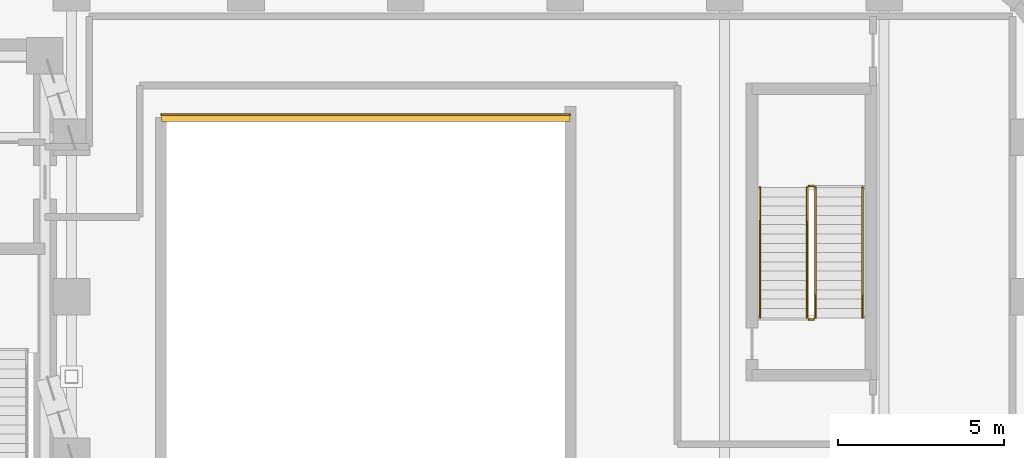
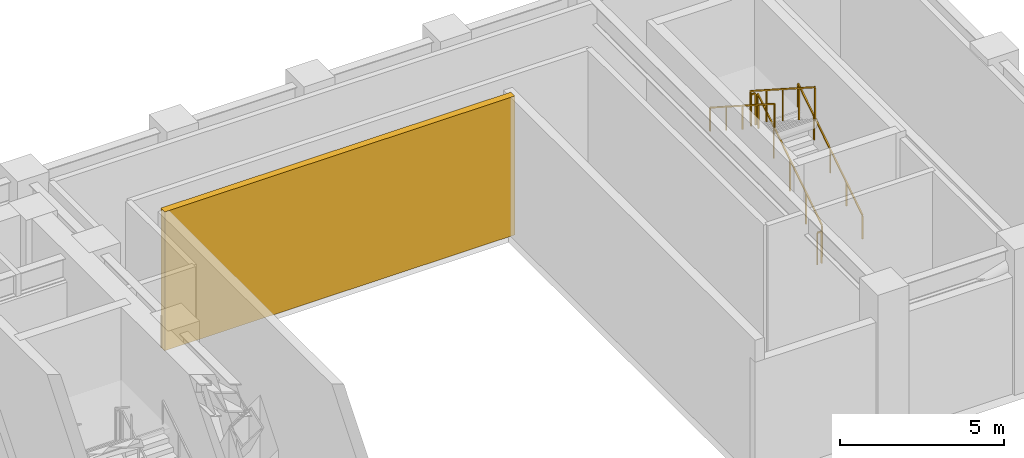
# One storey, part 9 of 9: 7 railings, 1 shading device.
"""IFC4 building model written with IfcOpenShell, lengths in metres."""

from ifc_helpers import new_model, si_unit, direction, frame, origin, origin_2d, place, context, subcontext, project, spatial, rectangle, extrude, material, type_object, element, save


model = new_model("IFC4")

# Units and contexts
model_context = context("Model", 3, precision=1e-05, world=origin(), true_north=direction((0.0, 1.0)))
body_context = subcontext(model_context, "Body", "Model", "MODEL_VIEW")
ifc_project = project(units=[si_unit("LENGTHUNIT", "METRE"), si_unit("AREAUNIT", "SQUARE_METRE"), si_unit("VOLUMEUNIT", "CUBIC_METRE"), si_unit("PLANEANGLEUNIT", "RADIAN"), si_unit("MASSUNIT", "GRAM", prefix="KILO")], contexts=[model_context])

# Site, building, storey
site_placement = place(None, origin())
site = spatial("IfcSite", under=ifc_project, at=site_placement, CompositionType="ELEMENT")
building_placement = place(site_placement, origin())
building = spatial("IfcBuilding", under=site, at=building_placement, Name="Orvandelia Arch Residences", CompositionType="ELEMENT")
storey_placement = place(building_placement, frame((0.0, 0.0, 101.800048828125)))
storey = spatial("IfcBuildingStorey", under=building, at=storey_placement, Name="L26", CompositionType="ELEMENT", Elevation=101.800048828125)

# Railings
ifc_material_1 = material(Name="Marine-Grade Stainless Steel 316", Category="steel")
railing_type_1 = type_object("IfcRailingType", Name="GRD-TERR-1250", PredefinedType="GUARDRAIL", material=ifc_material_1)
railing_1_placement = place(storey_placement, frame((26.25, 43.8798828125, 0.0)))
element("IfcRailing", 1, at=railing_1_placement, inside=storey, type_object=railing_type_1, Name="Wind Portal Maintenance Safety Guard L26-1", PredefinedType="GUARDRAIL", context=body_context, shape_type="SweptSolid", body=[
    extrude(rectangle(XDim=0.048095703125, YDim=0.048095703125, at=origin_2d()), frame((0.0, 0.0, 1.22607421875), z_axis=(1.0, 0.0, 0.0), x_axis=(0.0, 1.0, 0.0)), (0.0, 0.0, 1.0), 12.300048828125),
    extrude(rectangle(XDim=0.0419921875, YDim=0.0419921875, at=origin_2d()), origin(), (0.0, 0.0, 1.0), 1.201904296875),
    extrude(rectangle(XDim=0.0419921875, YDim=0.0419921875, at=origin_2d()), frame((1.757080078125, 0.0, 0.0)), (0.0, 0.0, 1.0), 1.201904296875),
    extrude(rectangle(XDim=0.0419921875, YDim=0.0419921875, at=origin_2d()), frame((3.514404296875, 0.0, 0.0)), (0.0, 0.0, 1.0), 1.201904296875),
    extrude(rectangle(XDim=0.0419921875, YDim=0.0419921875, at=origin_2d()), frame((5.271484375, 0.0, 0.0)), (0.0, 0.0, 1.0), 1.201904296875),
    extrude(rectangle(XDim=0.0419921875, YDim=0.0419921875, at=origin_2d()), frame((7.028564453125, 0.0, 0.0)), (0.0, 0.0, 1.0), 1.201904296875),
    extrude(rectangle(XDim=0.0419921875, YDim=0.0419921875, at=origin_2d()), frame((8.78564453125, 0.0, 0.0)), (0.0, 0.0, 1.0), 1.201904296875),
    extrude(rectangle(XDim=0.0419921875, YDim=0.0419921875, at=origin_2d()), frame((10.54296875, 0.0, 0.0)), (0.0, 0.0, 1.0), 1.201904296875),
    extrude(rectangle(XDim=0.0419921875, YDim=0.0419921875, at=origin_2d()), frame((12.300048828125, 0.0, 0.0)), (0.0, 0.0, 1.0), 1.201904296875),
])
ifc_material_2 = material(Name="Brushed Stainless Steel 304", Category="steel")
railing_type_2 = type_object("IfcRailingType", Name="RL-STAIR-GD1120", PredefinedType="GUARDRAIL", material=ifc_material_2)
railing_2_placement = place(storey_placement, frame((45.929931640625, 37.77001953125, 0.179931640625)))
element("IfcRailing", 2, at=railing_2_placement, inside=storey, type_object=railing_type_2, Name="L26 ST-3 stair guard 1", PredefinedType="GUARDRAIL", context=body_context, shape_type="SweptSolid", body=[
    extrude(rectangle(XDim=0.048095703125, YDim=0.048095703125, at=origin_2d()), frame((0.0, 0.0, 1.17578125), z_axis=(0.0, 0.841171666519, 0.540768182723), x_axis=(-1.0, 0.0, 0.0)), (0.0, 0.0, 1.0), 4.66015625),
    extrude(rectangle(XDim=0.0419921875, YDim=0.0419921875, at=origin_2d()), origin(), (0.0, 0.0, 1.0), 1.15185546875),
    extrude(rectangle(XDim=0.0419921875, YDim=0.0419921875, at=origin_2d()), frame((0.0, 0.97998046875, 0.6298828125)), (0.0, 0.0, 1.0), 1.15185546875),
    extrude(rectangle(XDim=0.0419921875, YDim=0.0419921875, at=origin_2d()), frame((0.0, 1.9599609375, 1.260009765625)), (0.0, 0.0, 1.0), 1.15185546875),
    extrude(rectangle(XDim=0.0419921875, YDim=0.0419921875, at=origin_2d()), frame((0.0, 2.93994140625, 1.89013671875)), (0.0, 0.0, 1.0), 1.15185546875),
    extrude(rectangle(XDim=0.0419921875, YDim=0.0419921875, at=origin_2d()), frame((0.0, 3.919921875, 2.52001953125)), (0.0, 0.0, 1.0), 1.15185546875),
])
railing_3_placement = place(storey_placement, frame((45.8798828125, 41.739990234375, 2.699951171875)))
element("IfcRailing", 3, at=railing_3_placement, inside=storey, type_object=railing_type_2, Name="L26 ST-3 stair guard 2", PredefinedType="GUARDRAIL", context=body_context, shape_type="SweptSolid", body=[
    extrude(rectangle(XDim=0.048095703125, YDim=0.048095703125, at=origin_2d()), frame((0.0, 0.0, 1.17578125), z_axis=(-1.0, 0.0, 0.0), x_axis=(0.0, -1.0, 0.0)), (0.0, 0.0, 1.0), 0.14990234375),
    extrude(rectangle(XDim=0.0419921875, YDim=0.0419921875, at=origin_2d()), origin(), (0.0, 0.0, 1.0), 1.15185546875),
    extrude(rectangle(XDim=0.0419921875, YDim=0.0419921875, at=origin_2d()), frame((-0.14990234375, 0.0, 0.0)), (0.0, 0.0, 1.0), 1.15185546875),
])
railing_4_placement = place(storey_placement, frame((45.679931640625, 41.68994140625, 2.8798828125)))
element("IfcRailing", 4, at=railing_4_placement, inside=storey, type_object=railing_type_2, Name="L26 ST-3 stair guard 3", PredefinedType="GUARDRAIL", context=body_context, shape_type="SweptSolid", body=[
    extrude(rectangle(XDim=0.048095703125, YDim=0.048095703125, at=origin_2d()), frame((0.0, 0.0, 1.17578125), z_axis=(0.0, -0.841171666519, 0.540768182723), x_axis=(1.0, 0.0, 0.0)), (0.0, 0.0, 1.0), 4.66015625),
    extrude(rectangle(XDim=0.0419921875, YDim=0.0419921875, at=origin_2d()), origin(), (0.0, 0.0, 1.0), 1.15185546875),
    extrude(rectangle(XDim=0.0419921875, YDim=0.0419921875, at=origin_2d()), frame((0.0, -0.97998046875, 0.6298828125)), (0.0, 0.0, 1.0), 1.15185546875),
    extrude(rectangle(XDim=0.0419921875, YDim=0.0419921875, at=origin_2d()), frame((0.0, -1.9599609375, 1.260009765625)), (0.0, 0.0, 1.0), 1.15185546875),
    extrude(rectangle(XDim=0.0419921875, YDim=0.0419921875, at=origin_2d()), frame((0.0, -2.93994140625, 1.89013671875)), (0.0, 0.0, 1.0), 1.15185546875),
    extrude(rectangle(XDim=0.0419921875, YDim=0.0419921875, at=origin_2d()), frame((0.0, -3.919921875, 2.52001953125)), (0.0, 0.0, 1.0), 1.15185546875),
])
railing_5_placement = place(storey_placement, frame((45.8798828125, 37.719970703125, 0.0)))
element("IfcRailing", 5, at=railing_5_placement, inside=storey, type_object=railing_type_2, Name="L26 ST-3 stair guard 4", PredefinedType="GUARDRAIL", context=body_context, shape_type="SweptSolid", body=[
    extrude(rectangle(XDim=0.048095703125, YDim=0.048095703125, at=origin_2d()), frame((0.0, 0.0, 1.17578125), z_axis=(-1.0, 0.0, 0.0), x_axis=(0.0, -1.0, 0.0)), (0.0, 0.0, 1.0), 0.14990234375),
    extrude(rectangle(XDim=0.0419921875, YDim=0.0419921875, at=origin_2d()), origin(), (0.0, 0.0, 1.0), 1.15185546875),
    extrude(rectangle(XDim=0.0419921875, YDim=0.0419921875, at=origin_2d()), frame((-0.14990234375, 0.0, 0.0)), (0.0, 0.0, 1.0), 1.15185546875),
])
railing_type_3 = type_object("IfcRailingType", Name="RL-STAIR-HR920", PredefinedType="HANDRAIL", material=ifc_material_2)
railing_6_placement = place(storey_placement, frame((47.35009765625, 37.77001953125, 0.35986328125)))
element("IfcRailing", 6, at=railing_6_placement, inside=storey, type_object=railing_type_3, Name="L26 ST-3 stair handrail 1", PredefinedType="HANDRAIL", context=body_context, shape_type="SweptSolid", body=[
    extrude(rectangle(XDim=0.048095703125, YDim=0.048095703125, at=origin_2d()), frame((0.0, 0.0, 0.8759765625), z_axis=(0.0, 0.841171666519, 0.540768182723), x_axis=(-1.0, 0.0, 0.0)), (0.0, 0.0, 1.0), 4.66015625),
    extrude(rectangle(XDim=0.0419921875, YDim=0.0419921875, at=origin_2d()), origin(), (0.0, 0.0, 1.0), 0.851806640625),
    extrude(rectangle(XDim=0.0419921875, YDim=0.0419921875, at=origin_2d()), frame((0.0, 0.97998046875, 0.6298828125)), (0.0, 0.0, 1.0), 0.851806640625),
    extrude(rectangle(XDim=0.0419921875, YDim=0.0419921875, at=origin_2d()), frame((0.0, 1.9599609375, 1.260009765625)), (0.0, 0.0, 1.0), 0.851806640625),
    extrude(rectangle(XDim=0.0419921875, YDim=0.0419921875, at=origin_2d()), frame((0.0, 2.93994140625, 1.89013671875)), (0.0, 0.0, 1.0), 0.851806640625),
    extrude(rectangle(XDim=0.0419921875, YDim=0.0419921875, at=origin_2d()), frame((0.0, 3.919921875, 2.52001953125)), (0.0, 0.0, 1.0), 0.851806640625),
])
railing_7_placement = place(storey_placement, frame((44.260009765625, 41.68994140625, 3.06005859375)))
element("IfcRailing", 7, at=railing_7_placement, inside=storey, type_object=railing_type_3, Name="L26 ST-3 stair handrail 2", PredefinedType="HANDRAIL", context=body_context, shape_type="SweptSolid", body=[
    extrude(rectangle(XDim=0.048095703125, YDim=0.048095703125, at=origin_2d()), frame((0.0, 0.0, 0.8759765625), z_axis=(0.0, -0.84119549742, 0.540731111663), x_axis=(1.0, 0.0, 0.0)), (0.0, 0.0, 1.0), 4.659912109375),
    extrude(rectangle(XDim=0.0419921875, YDim=0.0419921875, at=origin_2d()), origin(), (0.0, 0.0, 1.0), 0.851806640625),
    extrude(rectangle(XDim=0.0419921875, YDim=0.0419921875, at=origin_2d()), frame((0.0, -0.97998046875, 0.6298828125)), (0.0, 0.0, 1.0), 0.851806640625),
    extrude(rectangle(XDim=0.0419921875, YDim=0.0419921875, at=origin_2d()), frame((0.0, -1.9599609375, 1.259765625)), (0.0, 0.0, 1.0), 0.851806640625),
    extrude(rectangle(XDim=0.0419921875, YDim=0.0419921875, at=origin_2d()), frame((0.0, -2.93994140625, 1.889892578125)), (0.0, 0.0, 1.0), 0.851806640625),
    extrude(rectangle(XDim=0.0419921875, YDim=0.0419921875, at=origin_2d()), frame((0.0, -3.919921875, 2.519775390625)), (0.0, 0.0, 1.0), 0.851806640625),
])

# Shading device
ifc_material_3 = material(Name="Acoustic Weatherproof Aluminium Louvre Bank", Category="aluminium")
shading_device_type = type_object("IfcShadingDeviceType", Name="SHD-WIND-LOUVRE", PredefinedType="USERDEFINED", material=ifc_material_3)
shading_device_placement = place(storey_placement, frame((32.39990234375, 43.800048828125, 0.0), z_axis=(0.0, 0.0, 1.0), x_axis=(1.0, 0.0, 0.0)))
element("IfcShadingDevice", 8, at=shading_device_placement, inside=storey, type_object=shading_device_type, Name="Blow-Through Wind Portal Acoustic Louvre L26-1", ObjectType="ACOUSTIC_LOUVRE", PredefinedType="USERDEFINED", context=body_context, shape_type="SweptSolid", body=[
    extrude(rectangle(XDim=12.300048828125, YDim=0.239990234375, at=origin_2d()), origin(), (0.0, 0.0, 1.0), 5.159912109375),
])

save(model, "model.ifc")
